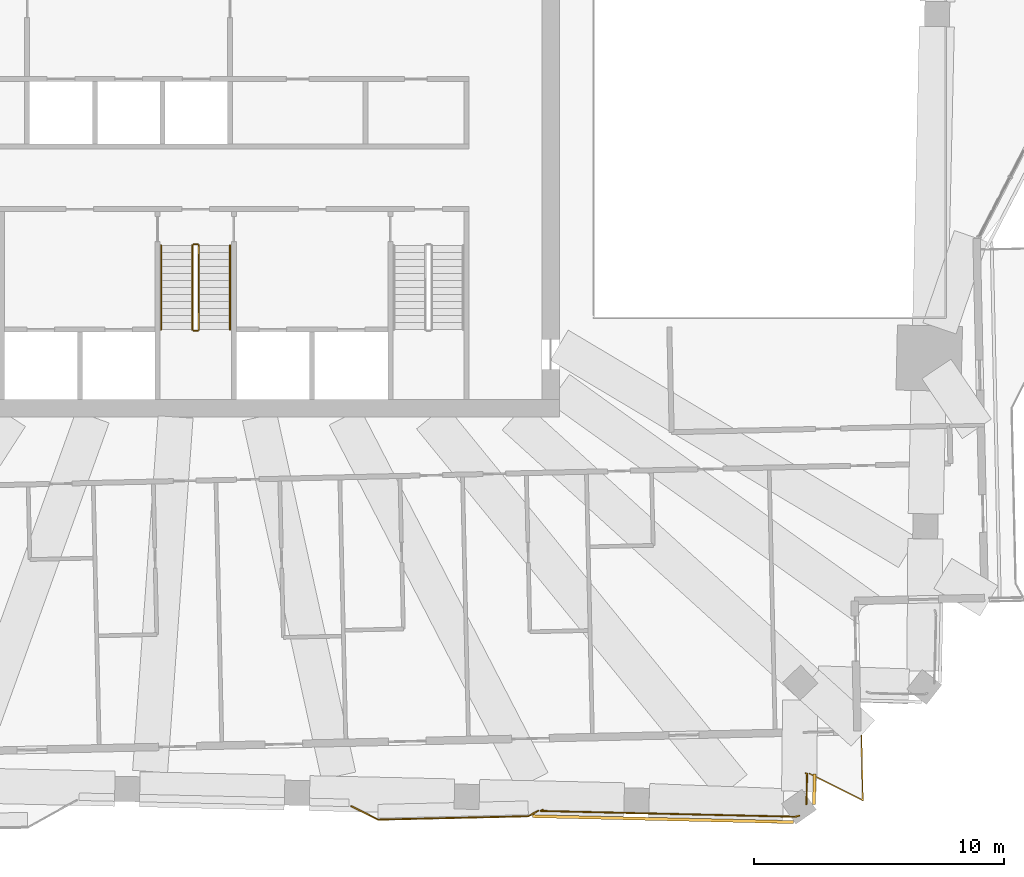
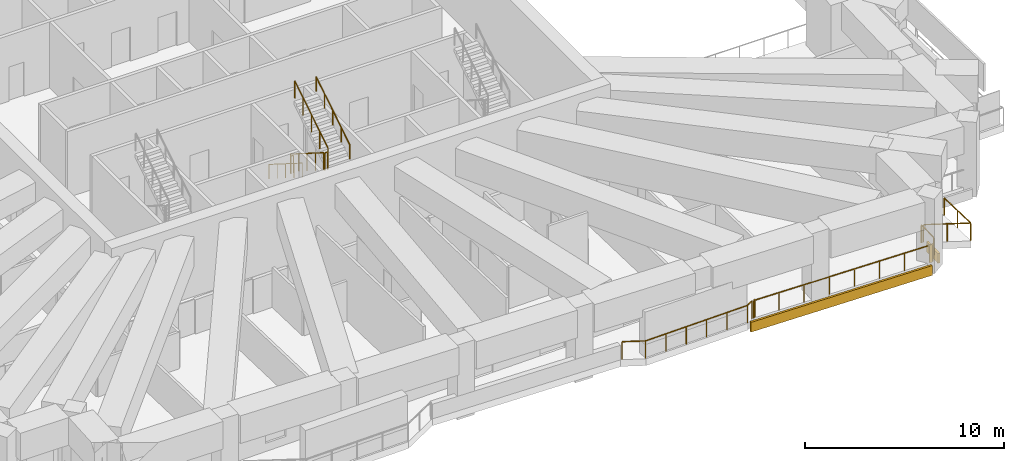
# One storey, part 19 of 21: 10 railings, 2 coverings.
"""IFC4 building model written with IfcOpenShell, lengths in metres."""

from ifc_helpers import new_model, si_unit, direction, frame, frame_2d, origin, origin_2d, place, context, subcontext, project, spatial, rectangle, circle, extrude, material, layer, layer_set, type_object, element, save


model = new_model("IFC4")

# Units and contexts
model_context = context("Model", 3, precision=1e-05, world=origin(), true_north=direction((0.0, 1.0)))
body_context = subcontext(model_context, "Body", "Model", "MODEL_VIEW")
ifc_project = project(units=[si_unit("LENGTHUNIT", "METRE"), si_unit("AREAUNIT", "SQUARE_METRE"), si_unit("VOLUMEUNIT", "CUBIC_METRE"), si_unit("PLANEANGLEUNIT", "RADIAN"), si_unit("MASSUNIT", "GRAM", prefix="KILO")], contexts=[model_context])

# Site, building, storey
site_placement = place(None, origin())
site = spatial("IfcSite", under=ifc_project, at=site_placement, CompositionType="ELEMENT")
building_placement = place(site_placement, origin())
building = spatial("IfcBuilding", under=site, at=building_placement, Name="Mangrove Gate Tower", CompositionType="ELEMENT")
storey_placement = place(building_placement, frame((0.0, 0.0, 275.300048828125)))
storey = spatial("IfcBuildingStorey", under=building, at=storey_placement, Name="L70", CompositionType="ELEMENT", Elevation=275.300048828125)

# Railings
ifc_material_1 = material(Name="Stainless steel grade 316 with laminated glass infill", Category="steel")
railing_type_1 = type_object("IfcRailingType", Name="Balcony guard 1100", PredefinedType="GUARDRAIL", material=ifc_material_1)
railing_1_placement = place(storey_placement, frame((6.197998046875, -27.0458984375, 0.0)))
element("IfcRailing", 1, at=railing_1_placement, inside=storey, type_object=railing_type_1, Name="GUARD L70 S2", PredefinedType="GUARDRAIL", context=body_context, shape_type="SweptSolid", body=[
    extrude(rectangle(XDim=0.048095703125, YDim=0.048095703125, at=origin_2d()), frame((0.0, 0.0, 1.076171875), z_axis=(0.894345238723, -0.447377462522, 0.0), x_axis=(0.447377462522, 0.894345238723, 0.0)), (0.0, 0.0, 1.0), 1.19189453125),
    extrude(rectangle(XDim=0.048095703125, YDim=0.048095703125, at=origin_2d()), frame((1.06591796875, -0.533203125, 1.076171875), z_axis=(0.999743178102, 0.022662255828, 0.0), x_axis=(-0.022662255828, 0.999743178102, 0.0)), (0.0, 0.0, 1.0), 6.00048828125),
    extrude(rectangle(XDim=0.048095703125, YDim=0.048095703125, at=origin_2d()), frame((7.06494140625, -0.397216796875, 1.076171875), z_axis=(0.873977529184, 0.485966334721, 0.0), x_axis=(-0.485966334721, 0.873977529184, 0.0)), (0.0, 0.0, 1.0), 0.44873046875),
    extrude(rectangle(XDim=0.0419921875, YDim=0.0419921875, at=origin_2d()), origin(), (0.0, 0.0, 1.0), 1.052001953125),
    extrude(rectangle(XDim=0.0419921875, YDim=0.0419921875, at=origin_2d()), frame((1.06591796875, -0.533203125, 0.0)), (0.0, 0.0, 1.0), 1.052001953125),
    extrude(rectangle(XDim=0.0419921875, YDim=0.0419921875, at=origin_2d()), frame((2.265625, -0.506103515625, 0.0)), (0.0, 0.0, 1.0), 1.052001953125),
    extrude(rectangle(XDim=0.0419921875, YDim=0.0419921875, at=origin_2d()), frame((3.465576171875, -0.478759765625, 0.0)), (0.0, 0.0, 1.0), 1.052001953125),
    extrude(rectangle(XDim=0.0419921875, YDim=0.0419921875, at=origin_2d()), frame((4.665283203125, -0.45166015625, 0.0)), (0.0, 0.0, 1.0), 1.052001953125),
    extrude(rectangle(XDim=0.0419921875, YDim=0.0419921875, at=origin_2d()), frame((5.865234375, -0.42431640625, 0.0)), (0.0, 0.0, 1.0), 1.052001953125),
    extrude(rectangle(XDim=0.0419921875, YDim=0.0419921875, at=origin_2d()), frame((7.06494140625, -0.397216796875, 0.0)), (0.0, 0.0, 1.0), 1.052001953125),
    extrude(rectangle(XDim=0.0419921875, YDim=0.0419921875, at=origin_2d()), frame((7.45703125, -0.17919921875, 0.0)), (0.0, 0.0, 1.0), 1.052001953125),
])
railing_2_placement = place(storey_placement, frame((24.493896484375, -25.742919921875, 0.0)))
element("IfcRailing", 2, at=railing_2_placement, inside=storey, type_object=railing_type_1, Name="GUARD L70 S3", PredefinedType="GUARDRAIL", context=body_context, shape_type="SweptSolid", body=[
    extrude(rectangle(XDim=0.048095703125, YDim=0.048095703125, at=origin_2d()), frame((0.0, 0.0, 1.076171875), z_axis=(0.894447730824, -0.447172513493, 0.0), x_axis=(0.447172513493, 0.894447730824, 0.0)), (0.0, 0.0, 1.0), 2.377197265625),
    extrude(rectangle(XDim=0.048095703125, YDim=0.048095703125, at=origin_2d()), frame((2.126220703125, -1.06298828125, 1.076171875), z_axis=(-0.022551366995, 0.999745685585, 0.0), x_axis=(-0.999745685585, -0.022551366995, 0.0)), (0.0, 0.0, 1.0), 2.57666015625),
    extrude(rectangle(XDim=0.0419921875, YDim=0.0419921875, at=origin_2d()), origin(), (0.0, 0.0, 1.0), 1.052001953125),
    extrude(rectangle(XDim=0.0419921875, YDim=0.0419921875, at=origin_2d()), frame((1.06298828125, -0.531494140625, 0.0)), (0.0, 0.0, 1.0), 1.052001953125),
    extrude(rectangle(XDim=0.0419921875, YDim=0.0419921875, at=origin_2d()), frame((2.126220703125, -1.06298828125, 0.0)), (0.0, 0.0, 1.0), 1.052001953125),
    extrude(rectangle(XDim=0.0419921875, YDim=0.0419921875, at=origin_2d()), frame((2.09716796875, 0.22509765625, 0.0)), (0.0, 0.0, 1.0), 1.052001953125),
    extrude(rectangle(XDim=0.0419921875, YDim=0.0419921875, at=origin_2d()), frame((2.068115234375, 1.512939453125, 0.0)), (0.0, 0.0, 1.0), 1.052001953125),
])
railing_3_placement = place(storey_placement, frame((24.073974609375, -27.4169921875, 0.0)))
element("IfcRailing", 3, at=railing_3_placement, inside=storey, type_object=railing_type_1, Name="GUARD L70 T2.1", PredefinedType="GUARDRAIL", context=body_context, shape_type="SweptSolid", body=[
    extrude(rectangle(XDim=0.048095703125, YDim=0.048095703125, at=origin_2d()), frame((0.0, 0.0, 1.076171875), z_axis=(-0.920487144923, -0.390772844543, 0.0), x_axis=(0.390772844543, -0.920487144923, 0.0)), (0.0, 0.0, 1.0), 0.028076171875),
    extrude(rectangle(XDim=0.048095703125, YDim=0.048095703125, at=origin_2d()), frame((-0.02587890625, -0.010986328125, 1.076171875), z_axis=(-0.950180731344, -0.311699499171, 0.0), x_axis=(0.311699499171, -0.950180731344, 0.0)), (0.0, 0.0, 1.0), 0.048583984375),
    extrude(rectangle(XDim=0.048095703125, YDim=0.048095703125, at=origin_2d()), frame((-0.072021484375, -0.026123046875, 1.076171875), z_axis=(-0.974642013371, -0.223769850009, 0.0), x_axis=(0.223769850009, -0.974642013371, 0.0)), (0.0, 0.0, 1.0), 0.049072265625),
    extrude(rectangle(XDim=0.048095703125, YDim=0.048095703125, at=origin_2d()), frame((-0.119873046875, -0.037109375, 1.076171875), z_axis=(-0.992946793169, -0.118560811125, 0.0), x_axis=(0.118560811125, -0.992946793169, 0.0)), (0.0, 0.0, 1.0), 0.04931640625),
    extrude(rectangle(XDim=0.048095703125, YDim=0.048095703125, at=origin_2d()), frame((-0.1689453125, -0.04296875, 1.076171875), z_axis=(-0.999208880195, -0.039769507669, 0.0), x_axis=(0.039769507669, -0.999208880195, 0.0)), (0.0, 0.0, 1.0), 0.049072265625),
    extrude(rectangle(XDim=0.048095703125, YDim=0.048095703125, at=origin_2d()), frame((-0.218017578125, -0.044921875, 1.076171875), z_axis=(-0.999740961662, 0.02275982372, 0.0), x_axis=(-0.02275982372, -0.999740961662, 0.0)), (0.0, 0.0, 1.0), 10.104736328125),
    extrude(rectangle(XDim=0.048095703125, YDim=0.048095703125, at=origin_2d()), frame((-10.320068359375, 0.18505859375, 1.076171875), z_axis=(0.874274076163, 0.485432631524, 0.0), x_axis=(-0.485432631524, 0.874274076163, 0.0)), (0.0, 0.0, 1.0), 0.0986328125),
    extrude(rectangle(XDim=0.0419921875, YDim=0.0419921875, at=origin_2d()), origin(), (0.0, 0.0, 1.0), 1.052001953125),
    extrude(rectangle(XDim=0.0419921875, YDim=0.0419921875, at=origin_2d()), frame((-0.02587890625, -0.010986328125, 0.0)), (0.0, 0.0, 1.0), 1.052001953125),
    extrude(rectangle(XDim=0.0419921875, YDim=0.0419921875, at=origin_2d()), frame((-0.072021484375, -0.026123046875, 0.0)), (0.0, 0.0, 1.0), 1.052001953125),
    extrude(rectangle(XDim=0.0419921875, YDim=0.0419921875, at=origin_2d()), frame((-0.119873046875, -0.037109375, 0.0)), (0.0, 0.0, 1.0), 1.052001953125),
    extrude(rectangle(XDim=0.0419921875, YDim=0.0419921875, at=origin_2d()), frame((-0.1689453125, -0.04296875, 0.0)), (0.0, 0.0, 1.0), 1.052001953125),
    extrude(rectangle(XDim=0.0419921875, YDim=0.0419921875, at=origin_2d()), frame((-0.218017578125, -0.044921875, 0.0)), (0.0, 0.0, 1.0), 1.052001953125),
    extrude(rectangle(XDim=0.0419921875, YDim=0.0419921875, at=origin_2d()), frame((-1.6611328125, -0.011962890625, 0.0)), (0.0, 0.0, 1.0), 1.052001953125),
    extrude(rectangle(XDim=0.0419921875, YDim=0.0419921875, at=origin_2d()), frame((-3.104248046875, 0.020751953125, 0.0)), (0.0, 0.0, 1.0), 1.052001953125),
    extrude(rectangle(XDim=0.0419921875, YDim=0.0419921875, at=origin_2d()), frame((-4.54736328125, 0.0537109375, 0.0)), (0.0, 0.0, 1.0), 1.052001953125),
    extrude(rectangle(XDim=0.0419921875, YDim=0.0419921875, at=origin_2d()), frame((-5.99072265625, 0.08642578125, 0.0)), (0.0, 0.0, 1.0), 1.052001953125),
    extrude(rectangle(XDim=0.0419921875, YDim=0.0419921875, at=origin_2d()), frame((-7.433837890625, 0.119384765625, 0.0)), (0.0, 0.0, 1.0), 1.052001953125),
    extrude(rectangle(XDim=0.0419921875, YDim=0.0419921875, at=origin_2d()), frame((-8.876953125, 0.152099609375, 0.0)), (0.0, 0.0, 1.0), 1.052001953125),
    extrude(rectangle(XDim=0.0419921875, YDim=0.0419921875, at=origin_2d()), frame((-10.320068359375, 0.18505859375, 0.0)), (0.0, 0.0, 1.0), 1.052001953125),
    extrude(rectangle(XDim=0.0419921875, YDim=0.0419921875, at=origin_2d()), frame((-10.23388671875, 0.23291015625, 0.0)), (0.0, 0.0, 1.0), 1.052001953125),
])
railing_4_placement = place(storey_placement, frame((24.345947265625, -25.73095703125, 0.0)))
element("IfcRailing", 4, at=railing_4_placement, inside=storey, type_object=railing_type_1, Name="GUARD L70 T2.2", PredefinedType="GUARDRAIL", context=body_context, shape_type="SweptSolid", body=[
    extrude(rectangle(XDim=0.048095703125, YDim=0.048095703125, at=origin_2d()), frame((0.0, 0.0, 1.076171875), z_axis=(0.898854385359, -0.438247411767, 0.0), x_axis=(0.438247411767, 0.898854385359, 0.0)), (0.0, 0.0, 1.0), 0.0546875),
    extrude(rectangle(XDim=0.048095703125, YDim=0.048095703125, at=origin_2d()), frame((0.049072265625, -0.02392578125, 1.076171875), z_axis=(-0.023044590176, -0.99973443817, 0.0), x_axis=(0.99973443817, -0.023044590176, 0.0)), (0.0, 0.0, 1.0), 1.21826171875),
    extrude(rectangle(XDim=0.0419921875, YDim=0.0419921875, at=origin_2d()), origin(), (0.0, 0.0, 1.0), 1.052001953125),
    extrude(rectangle(XDim=0.0419921875, YDim=0.0419921875, at=origin_2d()), frame((0.049072265625, -0.02392578125, 0.0)), (0.0, 0.0, 1.0), 1.052001953125),
    extrude(rectangle(XDim=0.0419921875, YDim=0.0419921875, at=origin_2d()), frame((0.02099609375, -1.241943359375, 0.0)), (0.0, 0.0, 1.0), 1.052001953125),
])
ifc_material_2 = material(Name="Stainless steel 316", Category="steel")
railing_type_2 = type_object("IfcRailingType", Name="Core stair guard 1100", PredefinedType="GUARDRAIL", material=ifc_material_2)
railing_5_placement = place(storey_placement, frame((-0.14990234375, -4.64990234375, 0.1767578125)))
element("IfcRailing", 5, at=railing_5_placement, inside=storey, type_object=railing_type_2, Name="L70 ST2 stair guard 1", PredefinedType="GUARDRAIL", context=body_context, shape_type="SweptSolid", body=[
    extrude(rectangle(XDim=0.048095703125, YDim=0.048095703125, at=origin_2d()), frame((0.0, 0.0, 1.076171875), z_axis=(0.0, -0.845361898145, 0.534194029511), x_axis=(1.0, 0.0, 0.0)), (0.0, 0.0, 1.0), 3.974853515625),
    extrude(rectangle(XDim=0.0419921875, YDim=0.0419921875, at=origin_2d()), origin(), (0.0, 0.0, 1.0), 1.052001953125),
    extrude(rectangle(XDim=0.0419921875, YDim=0.0419921875, at=origin_2d()), frame((0.0, -0.840087890625, 0.53076171875)), (0.0, 0.0, 1.0), 1.052001953125),
    extrude(rectangle(XDim=0.0419921875, YDim=0.0419921875, at=origin_2d()), frame((0.0, -1.68017578125, 1.0615234375)), (0.0, 0.0, 1.0), 1.052001953125),
    extrude(rectangle(XDim=0.0419921875, YDim=0.0419921875, at=origin_2d()), frame((0.0, -2.52001953125, 1.592529296875)), (0.0, 0.0, 1.0), 1.052001953125),
    extrude(rectangle(XDim=0.0419921875, YDim=0.0419921875, at=origin_2d()), frame((0.0, -3.360107421875, 2.123291015625)), (0.0, 0.0, 1.0), 1.052001953125),
])
railing_6_placement = place(storey_placement, frame((-0.10009765625, -8.06005859375, 2.300048828125)))
element("IfcRailing", 6, at=railing_6_placement, inside=storey, type_object=railing_type_2, Name="L70 ST2 stair guard 2", PredefinedType="GUARDRAIL", context=body_context, shape_type="SweptSolid", body=[
    extrude(rectangle(XDim=0.048095703125, YDim=0.048095703125, at=origin_2d()), frame((0.0, 0.0, 1.076171875), z_axis=(1.0, 0.0, 0.0), x_axis=(0.0, 1.0, 0.0)), (0.0, 0.0, 1.0), 0.150146484375),
    extrude(rectangle(XDim=0.0419921875, YDim=0.0419921875, at=origin_2d()), origin(), (0.0, 0.0, 1.0), 1.052001953125),
    extrude(rectangle(XDim=0.0419921875, YDim=0.0419921875, at=origin_2d()), frame((0.150146484375, 0.0, 0.0)), (0.0, 0.0, 1.0), 1.052001953125),
])
railing_7_placement = place(storey_placement, frame((0.10009765625, -8.010009765625, 2.476806640625)))
element("IfcRailing", 7, at=railing_7_placement, inside=storey, type_object=railing_type_2, Name="L70 ST2 stair guard 3", PredefinedType="GUARDRAIL", context=body_context, shape_type="SweptSolid", body=[
    extrude(rectangle(XDim=0.048095703125, YDim=0.048095703125, at=origin_2d()), frame((0.0, 0.0, 1.076171875), z_axis=(0.0, 0.845389635667, 0.534150132366), x_axis=(-1.0, 0.0, 0.0)), (0.0, 0.0, 1.0), 3.974609375),
    extrude(rectangle(XDim=0.0419921875, YDim=0.0419921875, at=origin_2d()), origin(), (0.0, 0.0, 1.0), 1.052001953125),
    extrude(rectangle(XDim=0.0419921875, YDim=0.0419921875, at=origin_2d()), frame((0.0, 0.840087890625, 0.53076171875)), (0.0, 0.0, 1.0), 1.052001953125),
    extrude(rectangle(XDim=0.0419921875, YDim=0.0419921875, at=origin_2d()), frame((0.0, 1.68017578125, 1.0615234375)), (0.0, 0.0, 1.0), 1.052001953125),
    extrude(rectangle(XDim=0.0419921875, YDim=0.0419921875, at=origin_2d()), frame((0.0, 2.52001953125, 1.59228515625)), (0.0, 0.0, 1.0), 1.052001953125),
    extrude(rectangle(XDim=0.0419921875, YDim=0.0419921875, at=origin_2d()), frame((0.0, 3.360107421875, 2.123046875)), (0.0, 0.0, 1.0), 1.052001953125),
])
railing_8_placement = place(storey_placement, frame((-0.10009765625, -4.60009765625, 0.0)))
element("IfcRailing", 8, at=railing_8_placement, inside=storey, type_object=railing_type_2, Name="L70 ST2 stair guard 4", PredefinedType="GUARDRAIL", context=body_context, shape_type="SweptSolid", body=[
    extrude(rectangle(XDim=0.048095703125, YDim=0.048095703125, at=origin_2d()), frame((0.0, 0.0, 1.076171875), z_axis=(1.0, 0.0, 0.0), x_axis=(0.0, 1.0, 0.0)), (0.0, 0.0, 1.0), 0.150146484375),
    extrude(rectangle(XDim=0.0419921875, YDim=0.0419921875, at=origin_2d()), origin(), (0.0, 0.0, 1.0), 1.052001953125),
    extrude(rectangle(XDim=0.0419921875, YDim=0.0419921875, at=origin_2d()), frame((0.150146484375, 0.0, 0.0)), (0.0, 0.0, 1.0), 1.052001953125),
])
ifc_material_3 = material(Name="Stainless steel 316", Category="steel")
railing_type_3 = type_object("IfcRailingType", Name="Core stair handrail 900", PredefinedType="HANDRAIL", material=ifc_material_3)
railing_9_placement = place(storey_placement, frame((-1.39990234375, -4.64990234375, 0.1767578125)))
element("IfcRailing", 9, at=railing_9_placement, inside=storey, type_object=railing_type_3, Name="L70 ST2 stair handrail 1", PredefinedType="HANDRAIL", context=body_context, shape_type="SweptSolid", body=[
    extrude(circle(Radius=0.02392578125, at=origin_2d()), frame((0.0, 0.0, 0.8759765625), z_axis=(0.0, -0.845361898145, 0.534194029511), x_axis=(1.0, 0.0, 0.0)), (0.0, 0.0, 1.0), 3.974853515625),
    extrude(circle(Radius=0.02099609375, at=origin_2d()), origin(), (0.0, 0.0, 1.0), 0.851806640625),
    extrude(circle(Radius=0.02099609375, at=origin_2d()), frame((0.0, -0.840087890625, 0.53076171875)), (0.0, 0.0, 1.0), 0.851806640625),
    extrude(circle(Radius=0.02099609375, at=origin_2d()), frame((0.0, -1.68017578125, 1.0615234375)), (0.0, 0.0, 1.0), 0.851806640625),
    extrude(circle(Radius=0.02099609375, at=origin_2d()), frame((0.0, -2.52001953125, 1.592529296875)), (0.0, 0.0, 1.0), 0.851806640625),
    extrude(circle(Radius=0.02099609375, at=origin_2d()), frame((0.0, -3.360107421875, 2.123291015625)), (0.0, 0.0, 1.0), 0.851806640625),
])
railing_10_placement = place(storey_placement, frame((1.35009765625, -8.010009765625, 2.476806640625)))
element("IfcRailing", 10, at=railing_10_placement, inside=storey, type_object=railing_type_3, Name="L70 ST2 stair handrail 2", PredefinedType="HANDRAIL", context=body_context, shape_type="SweptSolid", body=[
    extrude(circle(Radius=0.02392578125, at=origin_2d()), frame((0.0, 0.0, 0.8759765625), z_axis=(0.0, 0.845389635667, 0.534150132366), x_axis=(-1.0, 0.0, 0.0)), (0.0, 0.0, 1.0), 3.974609375),
    extrude(circle(Radius=0.02099609375, at=origin_2d()), origin(), (0.0, 0.0, 1.0), 0.851806640625),
    extrude(circle(Radius=0.02099609375, at=origin_2d()), frame((0.0, 0.840087890625, 0.53076171875)), (0.0, 0.0, 1.0), 0.851806640625),
    extrude(circle(Radius=0.02099609375, at=origin_2d()), frame((0.0, 1.68017578125, 1.0615234375)), (0.0, 0.0, 1.0), 0.851806640625),
    extrude(circle(Radius=0.02099609375, at=origin_2d()), frame((0.0, 2.52001953125, 1.59228515625)), (0.0, 0.0, 1.0), 0.851806640625),
    extrude(circle(Radius=0.02099609375, at=origin_2d()), frame((0.0, 3.360107421875, 2.123046875)), (0.0, 0.0, 1.0), 0.851806640625),
])

# Coverings
ifc_material_4 = material(Name="Limestone", Category="masonry")
ifc_layer_1 = layer(ifc_material_4, 0.0400390625, Name="Limestone cladding")
ifc_material_5 = material(Name="Stainless steel anchors and cavity", Category="steel")
ifc_layer_2 = layer(ifc_material_5, 0.080078125, Name="Fixing cavity")
ifc_layer_set = layer_set([ifc_layer_1, ifc_layer_2], Name="Joint fascia cladding 120")
covering_type = type_object("IfcCoveringType", Name="Joint fascia cladding 120", PredefinedType="CLADDING", material=ifc_layer_set)
covering_1_placement = place(storey_placement, frame((23.85107421875, -27.677978515625, -0.60009765625), z_axis=(0.0, 0.0, 1.0), x_axis=(-0.999743080468, 0.022666562538, 0.0)))
element("IfcCovering", 11, at=covering_1_placement, inside=storey, type_object=covering_type, Name="STONE FASCIA L70 TB92-1.1", PredefinedType="CLADDING", context=body_context, shape_type="SweptSolid", body=[
    extrude(rectangle(XDim=10.41552734375, YDim=0.1201171875, at=frame_2d((5.207763671875, 0.0))), origin(), (0.0, 0.0, 1.0), 0.60009765625),
])
covering_2_placement = place(storey_placement, frame((24.697021484375, -25.761962890625, -0.60009765625), z_axis=(0.0, 0.0, 1.0), x_axis=(-0.023044590176, -0.99973443817, 0.0)))
element("IfcCovering", 12, at=covering_2_placement, inside=storey, type_object=covering_type, Name="STONE FASCIA L70 TB92-2.1", PredefinedType="CLADDING", context=body_context, shape_type="SweptSolid", body=[
    extrude(rectangle(XDim=1.21826171875, YDim=0.1201171875, at=frame_2d((0.609130859375, 0.0))), origin(), (0.0, 0.0, 1.0), 0.60009765625),
])

save(model, "model.ifc")
